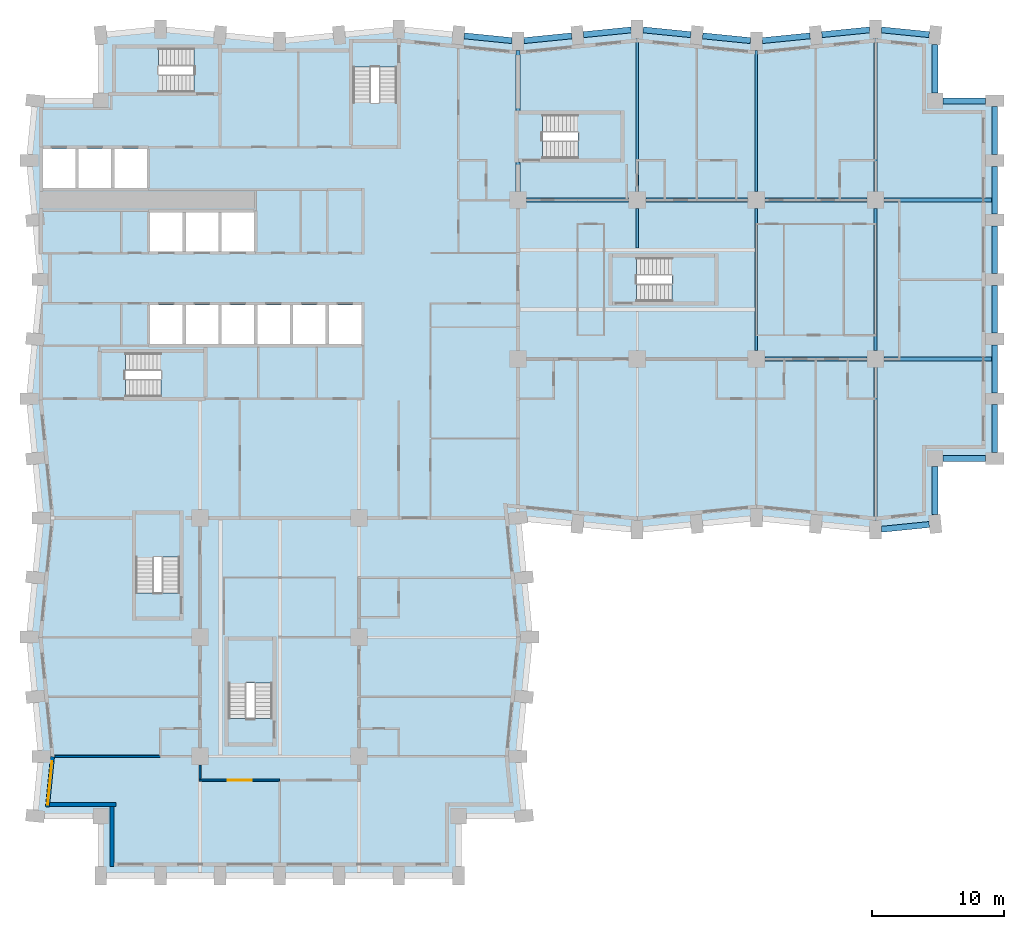
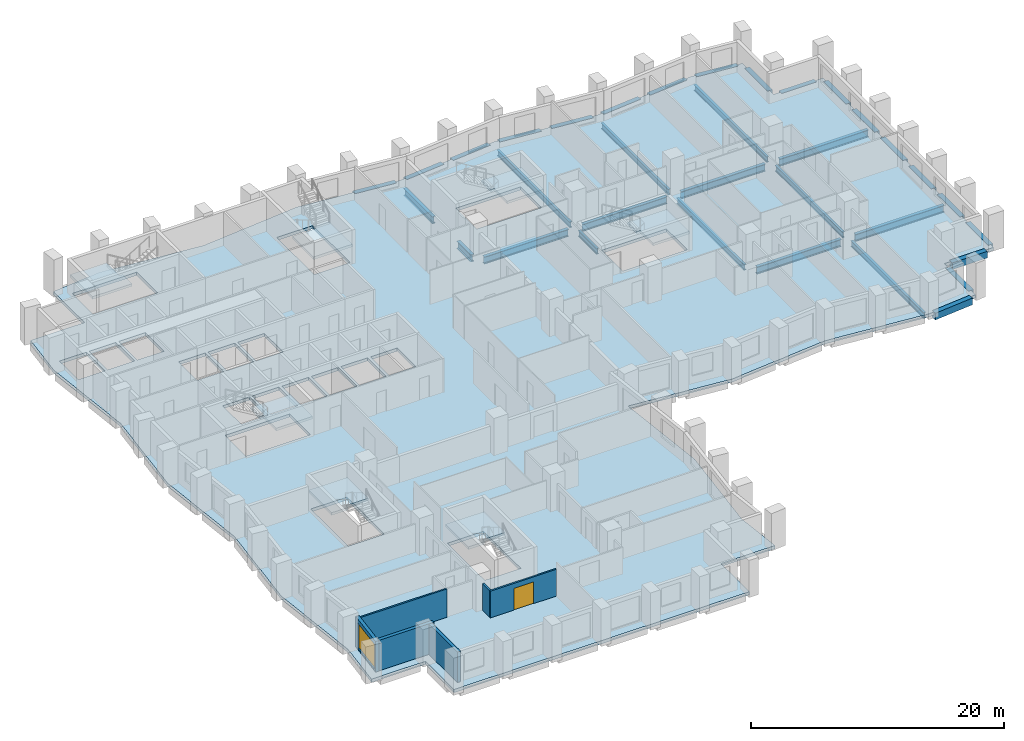
# One storey, part 2 of 12: 34 beams, 8 slabs, 6 walls, 1 door, 1 window, 2 openings, 7 elements without a shape of their own.
"""IFC4 building model written with IfcOpenShell, lengths in metres."""

from ifc_helpers import new_model, si_unit, direction, frame, frame_2d, origin, origin_2d, place, context, subcontext, project, spatial, polyline, rectangle, i_section, outline, extrude, material, layer, layer_set, material_profile, profile_set, type_object, element, fill, aggregate, save


model = new_model("IFC4")

# Units and contexts
model_context = context("Model", 3, precision=1e-05, world=origin(), true_north=direction((0.0, 1.0)))
body_context = subcontext(model_context, "Body", "Model", "MODEL_VIEW")
ifc_project = project(units=[si_unit("LENGTHUNIT", "METRE"), si_unit("AREAUNIT", "SQUARE_METRE"), si_unit("VOLUMEUNIT", "CUBIC_METRE"), si_unit("PLANEANGLEUNIT", "RADIAN"), si_unit("MASSUNIT", "GRAM", prefix="KILO")], contexts=[model_context])

# Site, building, storey
site_placement = place(None, origin())
site = spatial("IfcSite", under=ifc_project, at=site_placement, CompositionType="ELEMENT")
building_placement = place(site_placement, origin())
building = spatial("IfcBuilding", under=site, at=building_placement, Name="Brondeck Convention Tower", CompositionType="ELEMENT")
storey_placement = place(building_placement, frame((0.0, 0.0, 62.699951171875)))
storey = spatial("IfcBuildingStorey", under=building, at=storey_placement, Name="L13", CompositionType="ELEMENT", Elevation=62.699951171875)

# Beams
ifc_material_1 = material(Name="Steel S355", Category="steel")
ifc_material_profile_1 = material_profile(ifc_material_1, i_section(OverallWidth=0.2099609375, OverallDepth=0.550048828125, WebThickness=0.010986328125, FlangeThickness=0.01708984375, FilletRadius=0.02392578125, at=origin_2d()), Name="IPE 550")
ifc_profile_set_1 = profile_set([ifc_material_profile_1], Name="Steel S355")
beam_type_1 = type_object("IfcBeamType", Name="Floor beam IPE 550", PredefinedType="BEAM", material=ifc_profile_set_1)
beam_1_placement = place(storey_placement, frame((45.0, 51.64990234375, -0.574951171875), z_axis=(0.0, 1.0, 0.0), x_axis=(-1.0, 0.0, 0.0)))
element("IfcBeam", 1, at=beam_1_placement, inside=storey, type_object=beam_type_1, Name="STR-FB-L13-002", PredefinedType="BEAM", context=body_context, shape_type="SweptSolid", body=[
    extrude(i_section(OverallWidth=0.2099609375, OverallDepth=0.550048828125, WebThickness=0.010986328125, FlangeThickness=0.01708984375, FilletRadius=0.02392578125, at=origin_2d()), origin(), (0.0, 0.0, 1.0), 11.550048828125),
])
beam_2_placement = place(storey_placement, frame((54.0, 39.64990234375, -0.574951171875), z_axis=(0.0, 1.0, 0.0), x_axis=(-1.0, 0.0, 0.0)))
element("IfcBeam", 2, at=beam_2_placement, inside=storey, type_object=beam_type_1, Name="STR-FB-L13-004", PredefinedType="BEAM", context=body_context, shape_type="SweptSolid", body=[
    extrude(i_section(OverallWidth=0.2099609375, OverallDepth=0.550048828125, WebThickness=0.010986328125, FlangeThickness=0.01708984375, FilletRadius=0.02392578125, at=origin_2d()), origin(), (0.0, 0.0, 1.0), 10.7001953125),
])
beam_3_placement = place(storey_placement, frame((54.0, 51.64990234375, -0.574951171875), z_axis=(0.0, 1.0, 0.0), x_axis=(-1.0, 0.0, 0.0)))
element("IfcBeam", 3, at=beam_3_placement, inside=storey, type_object=beam_type_1, Name="STR-FB-L13-005", PredefinedType="BEAM", context=body_context, shape_type="SweptSolid", body=[
    extrude(i_section(OverallWidth=0.2099609375, OverallDepth=0.550048828125, WebThickness=0.010986328125, FlangeThickness=0.01708984375, FilletRadius=0.02392578125, at=origin_2d()), origin(), (0.0, 0.0, 1.0), 10.650146484375),
])
beam_4_placement = place(storey_placement, frame((63.0, 26.800048828125, -0.574951171875), z_axis=(0.0, 1.0, 0.0), x_axis=(-1.0, 0.0, 0.0)))
element("IfcBeam", 4, at=beam_4_placement, inside=storey, type_object=beam_type_1, Name="STR-FB-L13-006", PredefinedType="BEAM", context=body_context, shape_type="SweptSolid", body=[
    extrude(i_section(OverallWidth=0.2099609375, OverallDepth=0.550048828125, WebThickness=0.010986328125, FlangeThickness=0.01708984375, FilletRadius=0.02392578125, at=origin_2d()), origin(), (0.0, 0.0, 1.0), 11.550048828125),
])
beam_5_placement = place(storey_placement, frame((63.0, 39.64990234375, -0.574951171875), z_axis=(0.0, 1.0, 0.0), x_axis=(-1.0, 0.0, 0.0)))
element("IfcBeam", 5, at=beam_5_placement, inside=storey, type_object=beam_type_1, Name="STR-FB-L13-007", PredefinedType="BEAM", context=body_context, shape_type="SweptSolid", body=[
    extrude(i_section(OverallWidth=0.2099609375, OverallDepth=0.550048828125, WebThickness=0.010986328125, FlangeThickness=0.01708984375, FilletRadius=0.02392578125, at=origin_2d()), origin(), (0.0, 0.0, 1.0), 10.7001953125),
])
beam_6_placement = place(storey_placement, frame((63.0, 51.64990234375, -0.574951171875), z_axis=(0.0, 1.0, 0.0), x_axis=(-1.0, 0.0, 0.0)))
element("IfcBeam", 6, at=beam_6_placement, inside=storey, type_object=beam_type_1, Name="STR-FB-L13-008", PredefinedType="BEAM", context=body_context, shape_type="SweptSolid", body=[
    extrude(i_section(OverallWidth=0.2099609375, OverallDepth=0.550048828125, WebThickness=0.010986328125, FlangeThickness=0.01708984375, FilletRadius=0.02392578125, at=origin_2d()), origin(), (0.0, 0.0, 1.0), 11.550048828125),
])
beam_7_placement = place(storey_placement, frame((45.0, 47.39990234375, -0.574951171875), z_axis=(0.0, 1.0, 0.0), x_axis=(-1.0, 0.0, 0.0)))
element("IfcBeam", 7, at=beam_7_placement, inside=storey, type_object=beam_type_1, Name="STR-FB-L13-015", PredefinedType="BEAM", context=body_context, shape_type="SweptSolid", body=[
    extrude(i_section(OverallWidth=0.2099609375, OverallDepth=0.550048828125, WebThickness=0.010986328125, FlangeThickness=0.01708984375, FilletRadius=0.02392578125, at=origin_2d()), origin(), (0.0, 0.0, 1.0), 2.9501953125),
])
ifc_material_profile_2 = material_profile(ifc_material_1, i_section(OverallWidth=0.300048828125, OverallDepth=0.699951171875, WebThickness=0.01708984375, FlangeThickness=0.031982421875, FilletRadius=0.027099609375, at=origin_2d()), Name="HEB 700")
ifc_profile_set_2 = profile_set([ifc_material_profile_2], Name="Steel S355")
beam_type_2 = type_object("IfcBeamType", Name="Girder HEB 700", PredefinedType="BEAM", material=ifc_profile_set_2)
beam_8_placement = place(storey_placement, frame((54.64990234375, 39.0, -0.64990234375), z_axis=(1.0, 0.0, 0.0), x_axis=(0.0, 1.0, 0.0)))
element("IfcBeam", 8, at=beam_8_placement, inside=storey, type_object=beam_type_2, Name="STR-GR-L13-003", PredefinedType="BEAM", context=body_context, shape_type="SweptSolid", body=[
    extrude(i_section(OverallWidth=0.300048828125, OverallDepth=0.699951171875, WebThickness=0.01708984375, FlangeThickness=0.031982421875, FilletRadius=0.027099609375, at=origin_2d()), origin(), (0.0, 0.0, 1.0), 7.7001953125),
])
beam_9_placement = place(storey_placement, frame((63.64990234375, 39.0, -0.64990234375), z_axis=(1.0, 0.0, 0.0), x_axis=(0.0, 1.0, 0.0)))
element("IfcBeam", 9, at=beam_9_placement, inside=storey, type_object=beam_type_2, Name="STR-GR-L13-004", PredefinedType="BEAM", context=body_context, shape_type="SweptSolid", body=[
    extrude(i_section(OverallWidth=0.300048828125, OverallDepth=0.699951171875, WebThickness=0.01708984375, FlangeThickness=0.031982421875, FilletRadius=0.027099609375, at=origin_2d()), origin(), (0.0, 0.0, 1.0), 8.125),
])
for number, where, z_axis, x_axis, name in (
    (10, (36.64990234375, 51.0, -0.64990234375), (1.0, 0.0, 0.0), (0.0, 1.0, 0.0), "STR-GR-L13-005"),
    (11, (45.64990234375, 51.0, -0.64990234375), (1.0, 0.0, 0.0), (0.0, 1.0, 0.0), "STR-GR-L13-006"),
    (12, (54.64990234375, 51.0, -0.64990234375), (1.0, 0.0, 0.0), (0.0, 1.0, 0.0), "STR-GR-L13-007"),
):
    element("IfcBeam", number, at=place(storey_placement, frame(where, z_axis=z_axis, x_axis=x_axis)), inside=storey, type_object=beam_type_2, Name=name, PredefinedType="BEAM", context=body_context, shape_type="SweptSolid", body=[
        extrude(i_section(OverallWidth=0.300048828125, OverallDepth=0.699951171875, WebThickness=0.01708984375, FlangeThickness=0.031982421875, FilletRadius=0.027099609375, at=origin_2d()), origin(), (0.0, 0.0, 1.0), 7.7001953125),
    ])
beam_10_placement = place(storey_placement, frame((63.64990234375, 51.0, -0.64990234375), z_axis=(1.0, 0.0, 0.0), x_axis=(0.0, 1.0, 0.0)))
element("IfcBeam", 13, at=beam_10_placement, inside=storey, type_object=beam_type_2, Name="STR-GR-L13-008", PredefinedType="BEAM", context=body_context, shape_type="SweptSolid", body=[
    extrude(i_section(OverallWidth=0.300048828125, OverallDepth=0.699951171875, WebThickness=0.01708984375, FlangeThickness=0.031982421875, FilletRadius=0.027099609375, at=origin_2d()), origin(), (0.0, 0.0, 1.0), 8.125),
])
beam_11_placement = place(storey_placement, frame((36.0, 51.64990234375, -0.64990234375), z_axis=(0.0, 1.0, 0.0), x_axis=(-1.0, 0.0, 0.0)))
element("IfcBeam", 14, at=beam_11_placement, inside=storey, type_object=beam_type_2, Name="STR-GR-L13-011", PredefinedType="BEAM", context=body_context, shape_type="SweptSolid", body=[
    extrude(i_section(OverallWidth=0.300048828125, OverallDepth=0.699951171875, WebThickness=0.01708984375, FlangeThickness=0.031982421875, FilletRadius=0.027099609375, at=origin_2d()), origin(), (0.0, 0.0, 1.0), 2.22998046875),
])
beam_12_placement = place(storey_placement, frame((36.0, 57.719970703125, -0.64990234375), z_axis=(0.0, 1.0, 0.0), x_axis=(-1.0, 0.0, 0.0)))
element("IfcBeam", 15, at=beam_12_placement, inside=storey, type_object=beam_type_2, Name="STR-GR-L13-012", PredefinedType="BEAM", context=body_context, shape_type="SweptSolid", body=[
    extrude(i_section(OverallWidth=0.300048828125, OverallDepth=0.699951171875, WebThickness=0.01708984375, FlangeThickness=0.031982421875, FilletRadius=0.027099609375, at=origin_2d()), origin(), (0.0, 0.0, 1.0), 4.580078125),
])
ifc_material_2 = material(Name="Concrete C80/95", Category="concrete")
ifc_material_profile_3 = material_profile(ifc_material_2, rectangle(XDim=0.449951171875, YDim=0.64990234375, at=origin_2d()), Name="Precast spandrel 450x650 Concrete C80/95")
ifc_profile_set_3 = profile_set([ifc_material_profile_3], Name="Concrete C80/95")
beam_type_3 = type_object("IfcBeamType", Name="Precast spandrel 450x650 Concrete C80/95", PredefinedType="SPANDREL", material=ifc_profile_set_3)
beam_13_placement = place(storey_placement, frame((63.449951171875, 26.14501953125, -0.324951171875), z_axis=(0.995040528141, 0.099470334057, 0.0), x_axis=(-0.099470334057, 0.995040528141, 0.0)))
element("IfcBeam", 16, at=beam_13_placement, inside=storey, type_object=beam_type_3, Name="STR-SP-L13-020", PredefinedType="SPANDREL", context=body_context, shape_type="SweptSolid", body=[
    extrude(rectangle(XDim=0.449951171875, YDim=0.64990234375, at=origin_2d()), origin(), (0.0, 0.0, 1.0), 3.620361328125),
])
beam_14_placement = place(storey_placement, frame((67.5, 27.25341796875, -0.324951171875), z_axis=(0.0, 1.0, 0.0), x_axis=(-1.0, 0.0, 0.0)))
element("IfcBeam", 17, at=beam_14_placement, inside=storey, type_object=beam_type_3, Name="STR-SP-L13-021", PredefinedType="SPANDREL", context=body_context, shape_type="SweptSolid", body=[
    extrude(rectangle(XDim=0.449951171875, YDim=0.64990234375, at=origin_2d()), origin(), (0.0, 0.0, 1.0), 3.646484375),
])
beam_15_placement = place(storey_placement, frame((68.10009765625, 31.5, -0.324951171875), z_axis=(1.0, 0.0, 0.0), x_axis=(0.0, 1.0, 0.0)))
element("IfcBeam", 18, at=beam_15_placement, inside=storey, type_object=beam_type_3, Name="STR-SP-L13-022", PredefinedType="SPANDREL", context=body_context, shape_type="SweptSolid", body=[
    extrude(rectangle(XDim=0.449951171875, YDim=0.64990234375, at=origin_2d()), origin(), (0.0, 0.0, 1.0), 3.199951171875),
])
for number, where, z_axis, x_axis, name in (
    (19, (72.0, 31.949951171875, -0.324951171875), (0.0, 1.0, 0.0), (-1.0, 0.0, 0.0), "STR-SP-L13-023"),
    (20, (72.0, 36.449951171875, -0.324951171875), (0.0, 1.0, 0.0), (-1.0, 0.0, 0.0), "STR-SP-L13-024"),
    (21, (72.0, 40.949951171875, -0.324951171875), (0.0, 1.0, 0.0), (-1.0, 0.0, 0.0), "STR-SP-L13-025"),
    (22, (72.0, 45.449951171875, -0.324951171875), (0.0, 1.0, 0.0), (-1.0, 0.0, 0.0), "STR-SP-L13-026"),
    (23, (72.0, 49.949951171875, -0.324951171875), (0.0, 1.0, 0.0), (-1.0, 0.0, 0.0), "STR-SP-L13-027"),
    (24, (72.0, 54.449951171875, -0.324951171875), (0.0, 1.0, 0.0), (-1.0, 0.0, 0.0), "STR-SP-L13-028"),
):
    element("IfcBeam", number, at=place(storey_placement, frame(where, z_axis=z_axis, x_axis=x_axis)), inside=storey, type_object=beam_type_3, Name=name, PredefinedType="SPANDREL", context=body_context, shape_type="SweptSolid", body=[
        extrude(rectangle(XDim=0.449951171875, YDim=0.64990234375, at=origin_2d()), origin(), (0.0, 0.0, 1.0), 3.60009765625),
    ])
beam_16_placement = place(storey_placement, frame((71.300048828125, 58.5, -0.324951171875), z_axis=(-1.0, 0.0, 0.0), x_axis=(0.0, -1.0, 0.0)))
element("IfcBeam", 25, at=beam_16_placement, inside=storey, type_object=beam_type_3, Name="STR-SP-L13-029", PredefinedType="SPANDREL", context=body_context, shape_type="SweptSolid", body=[
    extrude(rectangle(XDim=0.449951171875, YDim=0.64990234375, at=origin_2d()), origin(), (0.0, 0.0, 1.0), 3.199951171875),
])
beam_17_placement = place(storey_placement, frame((67.5, 59.10009765625, -0.324951171875), z_axis=(0.0, 1.0, 0.0), x_axis=(-1.0, 0.0, 0.0)))
element("IfcBeam", 26, at=beam_17_placement, inside=storey, type_object=beam_type_3, Name="STR-SP-L13-030", PredefinedType="SPANDREL", context=body_context, shape_type="SweptSolid", body=[
    extrude(rectangle(XDim=0.449951171875, YDim=0.64990234375, at=origin_2d()), origin(), (0.0, 0.0, 1.0), 3.646484375),
])
for number, where, z_axis, x_axis, name in (
    (27, (67.05224609375, 63.494873046875, -0.324951171875), (-0.995040528141, 0.099470334057, 0.0), (-0.099470334057, -0.995040528141, 0.0), "STR-SP-L13-031"),
    (28, (62.550048828125, 63.85498046875, -0.324951171875), (-0.995040528141, -0.099470334057, 0.0), (0.099470334057, -0.995040528141, 0.0), "STR-SP-L13-032"),
    (29, (58.05224609375, 63.4052734375, -0.324951171875), (-0.995033851182, -0.099537103649, 0.0), (0.099537103649, -0.995033851182, 0.0), "STR-SP-L13-033"),
    (30, (53.550048828125, 63.044921875, -0.324951171875), (-0.995033851182, 0.099537103649, 0.0), (-0.099537103649, -0.995033851182, 0.0), "STR-SP-L13-034"),
    (31, (49.05224609375, 63.494873046875, -0.324951171875), (-0.995040528141, 0.099470334057, 0.0), (-0.099470334057, -0.995040528141, 0.0), "STR-SP-L13-035"),
    (32, (44.550048828125, 63.85498046875, -0.324951171875), (-0.995040528141, -0.099470334057, 0.0), (0.099470334057, -0.995040528141, 0.0), "STR-SP-L13-036"),
    (33, (40.05224609375, 63.4052734375, -0.324951171875), (-0.995033851182, -0.099537103649, 0.0), (0.099537103649, -0.995033851182, 0.0), "STR-SP-L13-037"),
    (34, (35.550048828125, 63.044921875, -0.324951171875), (-0.995033851182, 0.099537103649, 0.0), (-0.099537103649, -0.995033851182, 0.0), "STR-SP-L13-038"),
):
    element("IfcBeam", number, at=place(storey_placement, frame(where, z_axis=z_axis, x_axis=x_axis)), inside=storey, type_object=beam_type_3, Name=name, PredefinedType="SPANDREL", context=body_context, shape_type="SweptSolid", body=[
        extrude(rectangle(XDim=0.449951171875, YDim=0.64990234375, at=origin_2d()), origin(), (0.0, 0.0, 1.0), 3.620361328125),
    ])

# Slab
ifc_material_3 = material(Name="Concrete C35/45", Category="concrete")
ifc_layer_1 = layer(ifc_material_3, 0.300048828125)
ifc_layer_set_1 = layer_set([ifc_layer_1], Name="Composite floor slab 300")
slab_type_1 = type_object("IfcSlabType", Name="Composite floor slab 300", PredefinedType="FLOOR", material=ifc_layer_set_1)
slab_1_placement = place(storey_placement, frame((0.0, 0.0, -0.300048828125)))
element("IfcSlab", 35, at=slab_1_placement, inside=storey, type_object=slab_type_1, Name="STR-SL-L13", PredefinedType="FLOOR", context=body_context, shape_type="SweptSolid", body=[
    extrude(outline(polyline([(4.5, 4.5), (-0.449951171875, 4.5), (0.0, 9.0), (-0.89990234375, 18.0), (0.0, 27.0), (-0.89990234375, 36.0), (0.0, 45.0), (-0.89990234375, 54.0), (-0.449951171875, 58.5), (4.5, 58.5), (4.5, 63.449951171875), (9.0, 63.89990234375), (18.0, 63.0), (27.0, 63.89990234375), (36.0, 63.0), (45.0, 63.89990234375), (54.0, 63.0), (63.0, 63.89990234375), (67.5, 63.449951171875), (67.5, 58.5), (72.0, 58.5), (72.0, 31.5), (67.5, 31.5), (67.5, 26.550048828125), (63.0, 26.10009765625), (54.0, 27.0), (45.0, 26.10009765625), (36.0, 27.0), (36.89990234375, 18.0), (36.0, 9.0), (36.449951171875, 4.5), (31.5, 4.5), (31.5, 0.0), (4.5, 0.0), (4.5, 4.5)]), holes=[polyline([(10.447998046875, 27.248046875), (7.152099609375, 27.248046875), (7.152099609375, 21.35205078125), (10.447998046875, 21.35205078125), (10.447998046875, 27.248046875)]), polyline([(12.248046875, 36.152099609375), (12.248046875, 39.447998046875), (6.35205078125, 39.447998046875), (6.35205078125, 36.152099609375), (12.248046875, 36.152099609375)]), polyline([(10.675048828125, 40.125), (10.675048828125, 43.074951171875), (8.22509765625, 43.074951171875), (8.22509765625, 40.125), (10.675048828125, 40.125)]), polyline([(13.375, 40.125), (13.375, 43.074951171875), (10.925048828125, 43.074951171875), (10.925048828125, 40.125), (13.375, 40.125)]), polyline([(10.675048828125, 47.125), (10.675048828125, 50.074951171875), (8.22509765625, 50.074951171875), (8.22509765625, 47.125), (10.675048828125, 47.125)]), polyline([(13.375, 47.125), (13.375, 50.074951171875), (10.925048828125, 50.074951171875), (10.925048828125, 47.125), (13.375, 47.125)]), polyline([(2.574951171875, 51.925048828125), (2.574951171875, 54.875), (0.125, 54.875), (0.125, 51.925048828125), (2.574951171875, 51.925048828125)]), polyline([(2.824951171875, 51.925048828125), (5.27490234375, 51.925048828125), (5.27490234375, 54.875), (2.824951171875, 54.875), (2.824951171875, 51.925048828125)]), polyline([(5.52490234375, 51.925048828125), (7.97509765625, 51.925048828125), (7.97509765625, 54.875), (5.52490234375, 54.875), (5.52490234375, 51.925048828125)]), polyline([(5.652099609375, 62.447998046875), (5.652099609375, 59.152099609375), (11.548095703125, 59.152099609375), (11.548095703125, 62.447998046875), (5.652099609375, 62.447998046875)]), polyline([(17.447998046875, 17.748046875), (14.152099609375, 17.748046875), (14.152099609375, 11.85205078125), (17.447998046875, 11.85205078125), (17.447998046875, 17.748046875)]), polyline([(16.074951171875, 40.125), (16.074951171875, 43.074951171875), (13.625, 43.074951171875), (13.625, 40.125), (16.074951171875, 40.125)]), polyline([(16.324951171875, 40.125), (18.77490234375, 40.125), (18.77490234375, 43.074951171875), (16.324951171875, 43.074951171875), (16.324951171875, 40.125)]), polyline([(19.02490234375, 40.125), (21.47509765625, 40.125), (21.47509765625, 43.074951171875), (19.02490234375, 43.074951171875), (19.02490234375, 40.125)]), polyline([(24.175048828125, 40.125), (24.175048828125, 43.074951171875), (21.72509765625, 43.074951171875), (21.72509765625, 40.125), (24.175048828125, 40.125)]), polyline([(50.847900390625, 43.35205078125), (50.847900390625, 46.64794921875), (44.951904296875, 46.64794921875), (44.951904296875, 43.35205078125), (50.847900390625, 43.35205078125)]), polyline([(16.074951171875, 47.125), (16.074951171875, 50.074951171875), (13.625, 50.074951171875), (13.625, 47.125), (16.074951171875, 47.125)]), polyline([(37.85205078125, 54.152099609375), (43.748046875, 54.152099609375), (43.748046875, 57.447998046875), (37.85205078125, 57.447998046875), (37.85205078125, 54.152099609375)]), polyline([(23.552001953125, 61.048095703125), (23.552001953125, 55.152099609375), (26.847900390625, 55.152099609375), (26.847900390625, 61.048095703125), (23.552001953125, 61.048095703125)])]), origin(), (0.0, 0.0, 1.0), 0.300048828125),
])

# Stair, slab
ifc_material_4 = material(Name="Precast concrete C50/60", Category="concrete")
stair_type = type_object("IfcStairType", Name="Core stair 20 risers 180.00 mm riser 300 mm going 1350 wide", PredefinedType="HALF_TURN_STAIR", material=ifc_material_4)
stair_1_placement = place(storey_placement, origin())
stair_1 = element("IfcStair", 36, at=stair_1_placement, inside=storey, type_object=stair_type, Name="ST-1 L13 stair", PredefinedType="HALF_TURN_STAIR")
ifc_layer_2 = layer(ifc_material_4, 0.25)
ifc_layer_set_2 = layer_set([ifc_layer_2], Name="Core stair landing 250 Precast concrete C50/60")
slab_type_2 = type_object("IfcSlabType", Name="Core stair landing 250 Precast concrete C50/60", PredefinedType="LANDING", material=ifc_layer_set_2)
slab_2_placement = place(storey_placement, frame((0.0, 0.0, 1.550048828125)))
slab_2 = element("IfcSlab", 37, at=slab_2_placement, type_object=slab_type_2, Name="ST-1 landing 1", PredefinedType="LANDING", context=body_context, shape_type="SweptSolid", body=[
    extrude(outline(polyline([(9.048095703125, 37.5), (9.050048828125, 37.5), (9.050048828125, 38.10009765625), (8.75, 38.10009765625), (8.75, 39.570068359375), (12.3701171875, 39.570068359375), (12.3701171875, 36.030029296875), (9.048095703125, 36.030029296875), (9.048095703125, 37.5)])), origin(), (0.0, 0.0, 1.0), 0.25),
])
aggregate(stair_1, [slab_2])

stair_2_placement = place(storey_placement, origin())
stair_2 = element("IfcStair", 38, at=stair_2_placement, inside=storey, type_object=stair_type, Name="ST-2 L13 stair", PredefinedType="HALF_TURN_STAIR")
slab_3_placement = place(storey_placement, frame((0.0, 0.0, 1.550048828125)))
slab_3 = element("IfcSlab", 39, at=slab_3_placement, type_object=slab_type_2, Name="ST-2 landing 1", PredefinedType="LANDING", context=body_context, shape_type="SweptSolid", body=[
    extrude(outline(polyline([(23.429931640625, 58.35205078125), (24.89990234375, 58.35205078125), (24.89990234375, 58.35009765625), (25.5, 58.35009765625), (25.5, 58.64990234375), (26.969970703125, 58.64990234375), (26.969970703125, 55.030029296875), (23.429931640625, 55.030029296875), (23.429931640625, 58.35205078125)])), origin(), (0.0, 0.0, 1.0), 0.25),
])
aggregate(stair_2, [slab_3])

stair_3_placement = place(storey_placement, origin())
stair_3 = element("IfcStair", 40, at=stair_3_placement, inside=storey, type_object=stair_type, Name="ST-3 L13 stair", PredefinedType="HALF_TURN_STAIR")
slab_4_placement = place(storey_placement, frame((0.0, 0.0, 1.550048828125)))
slab_4 = element("IfcSlab", 41, at=slab_4_placement, type_object=slab_type_2, Name="ST-3 landing 1", PredefinedType="LANDING", context=body_context, shape_type="SweptSolid", body=[
    extrude(outline(polyline([(9.14990234375, 60.5), (9.14990234375, 59.030029296875), (5.530029296875, 59.030029296875), (5.530029296875, 62.570068359375), (8.85205078125, 62.570068359375), (8.85205078125, 61.10009765625), (8.85009765625, 61.10009765625), (8.85009765625, 60.5), (9.14990234375, 60.5)])), origin(), (0.0, 0.0, 1.0), 0.25),
])
aggregate(stair_3, [slab_4])

stair_4_placement = place(storey_placement, origin())
stair_4 = element("IfcStair", 42, at=stair_4_placement, inside=storey, type_object=stair_type, Name="ST-AE L13 stair", PredefinedType="HALF_TURN_STAIR")
slab_5_placement = place(storey_placement, frame((0.0, 0.0, 1.550048828125)))
slab_5 = element("IfcSlab", 43, at=slab_5_placement, type_object=slab_type_2, Name="ST-AE landing 1", PredefinedType="LANDING", context=body_context, shape_type="SweptSolid", body=[
    extrude(outline(polyline([(40.548095703125, 55.5), (40.550048828125, 55.5), (40.550048828125, 56.10009765625), (40.25, 56.10009765625), (40.25, 57.570068359375), (43.8701171875, 57.570068359375), (43.8701171875, 54.030029296875), (40.548095703125, 54.030029296875), (40.548095703125, 55.5)])), origin(), (0.0, 0.0, 1.0), 0.25),
])
aggregate(stair_4, [slab_5])

stair_5_placement = place(storey_placement, origin())
stair_5 = element("IfcStair", 44, at=stair_5_placement, inside=storey, type_object=stair_type, Name="ST-BE L13 stair", PredefinedType="HALF_TURN_STAIR")
slab_6_placement = place(storey_placement, frame((0.0, 0.0, 1.550048828125)))
slab_6 = element("IfcSlab", 45, at=slab_6_placement, type_object=slab_type_2, Name="ST-BE landing 1", PredefinedType="LANDING", context=body_context, shape_type="SweptSolid", body=[
    extrude(outline(polyline([(7.030029296875, 23.75), (7.030029296875, 27.3701171875), (10.570068359375, 27.3701171875), (10.570068359375, 24.048095703125), (9.10009765625, 24.048095703125), (9.10009765625, 24.050048828125), (8.5, 24.050048828125), (8.5, 23.75), (7.030029296875, 23.75)])), origin(), (0.0, 0.0, 1.0), 0.25),
])
aggregate(stair_5, [slab_6])

stair_6_placement = place(storey_placement, origin())
stair_6 = element("IfcStair", 46, at=stair_6_placement, inside=storey, type_object=stair_type, Name="ST-AF L13 stair", PredefinedType="HALF_TURN_STAIR")
slab_7_placement = place(storey_placement, frame((0.0, 0.0, 1.550048828125)))
slab_7 = element("IfcSlab", 47, at=slab_7_placement, type_object=slab_type_2, Name="ST-AF landing 1", PredefinedType="LANDING", context=body_context, shape_type="SweptSolid", body=[
    extrude(outline(polyline([(47.64794921875, 44.699951171875), (47.64990234375, 44.699951171875), (47.64990234375, 45.300048828125), (47.35009765625, 45.300048828125), (47.35009765625, 46.77001953125), (50.969970703125, 46.77001953125), (50.969970703125, 43.22998046875), (47.64794921875, 43.22998046875), (47.64794921875, 44.699951171875)])), origin(), (0.0, 0.0, 1.0), 0.25),
])
aggregate(stair_6, [slab_7])

stair_7_placement = place(storey_placement, origin())
stair_7 = element("IfcStair", 48, at=stair_7_placement, inside=storey, type_object=stair_type, Name="ST-BF L13 stair", PredefinedType="HALF_TURN_STAIR")
slab_8_placement = place(storey_placement, frame((0.0, 0.0, 1.550048828125)))
slab_8 = element("IfcSlab", 49, at=slab_8_placement, type_object=slab_type_2, Name="ST-BF landing 1", PredefinedType="LANDING", context=body_context, shape_type="SweptSolid", body=[
    extrude(outline(polyline([(14.030029296875, 14.25), (14.030029296875, 17.8701171875), (17.570068359375, 17.8701171875), (17.570068359375, 14.548095703125), (16.10009765625, 14.548095703125), (16.10009765625, 14.550048828125), (15.5, 14.550048828125), (15.5, 14.25), (14.030029296875, 14.25)])), origin(), (0.0, 0.0, 1.0), 0.25),
])
aggregate(stair_7, [slab_8])

# Wall, opening, window
ifc_material_5 = material(Name="Precast concrete C50/60 bronze finish", Category="concrete")
ifc_layer_3 = layer(ifc_material_5, 0.070068359375, Name="Bronze precast facing")
ifc_material_6 = material(Name="Mineral wool")
ifc_layer_4 = layer(ifc_material_6, 0.159912109375, Name="Insulation")
ifc_layer_5 = layer(ifc_material_3, 0.070068359375, Name="Backing")
ifc_layer_set_3 = layer_set([ifc_layer_3, ifc_layer_4, ifc_layer_5], Name="External infill wall, precast concrete C50/60 bronze facing")
wall_type_1 = type_object("IfcWallType", Name="External infill wall, precast concrete C50/60 bronze facing", PredefinedType="SOLIDWALL", material=ifc_layer_set_3)
wall_1_placement = place(storey_placement, frame((0.47265625, 5.18505859375, 0.0), z_axis=(0.0, 0.0, 1.0), x_axis=(0.099541845169, 0.995033376857, 0.0)))
wall_1 = element("IfcWall", 50, at=wall_1_placement, inside=storey, type_object=wall_type_1, Name="ENV-EW-L13-P0-B-W-12", PredefinedType="SOLIDWALL", context=body_context, shape_type="SweptSolid", body=[
    extrude(rectangle(XDim=3.803955078125, YDim=0.300048828125, at=frame_2d((1.90185546875, 0.0))), origin(), (0.0, 0.0, 1.0), 2.949951171875),
])
opening_1_placement = place(wall_1_placement, frame((0.14990234375, 0.0, 0.14990234375)))
opening_1 = element("IfcOpeningElement", 51, at=opening_1_placement, cuts=wall_1, Name="Opening W9", PredefinedType="OPENING", context=body_context, shape_type="SweptSolid", body=[
    extrude(rectangle(XDim=3.300048828125, YDim=2.39990234375, at=frame_2d((1.64990234375, 1.199951171875))), frame((0.0, 0.159912109375, 0.0), z_axis=(0.0, -1.0, 0.0), x_axis=(1.0, 0.0, 0.0)), (0.0, 0.0, 1.0), 0.320068359375),
])
ifc_material_7 = material(Name="Bronze tinted double glazing", Category="glass")
window_type = type_object("IfcWindowType", Name="Glazed flute window, bronze tinted", PartitioningType="SINGLE_PANEL", PredefinedType="WINDOW", material=ifc_material_7)
window_placement = place(opening_1_placement, origin())
window = element("IfcWindow", 52, at=window_placement, inside=storey, type_object=window_type, Name="ENV-WN-L13-P0-B-W-12", OverallHeight=2.39990234375, OverallWidth=3.300048828125, PartitioningType="SINGLE_PANEL", PredefinedType="WINDOW", context=body_context, shape_type="SweptSolid", body=[
    extrude(rectangle(XDim=3.300048828125, YDim=2.39990234375, at=frame_2d((1.64990234375, 1.199951171875))), frame((0.0, 0.030029296875, 0.0), z_axis=(0.0, -1.0, 0.0), x_axis=(1.0, 0.0, 0.0)), (0.0, 0.0, 1.0), 0.06005859375),
])
fill(opening_1, window)

# Walls
wall_2_placement = place(storey_placement, frame((5.64990234375, 5.35009765625, 0.0), z_axis=(0.0, 0.0, 1.0), x_axis=(-1.0, 0.0, 0.0)))
element("IfcWall", 53, at=wall_2_placement, inside=storey, type_object=wall_type_1, Name="ENV-EW-L13-P0-NC-SWB0-01", PredefinedType="SOLIDWALL", context=body_context, shape_type="SweptSolid", body=[
    extrude(rectangle(XDim=5.004638671875, YDim=0.300048828125, at=frame_2d((2.50244140625, 0.0))), origin(), (0.0, 0.0, 1.0), 2.949951171875),
])
wall_3_placement = place(storey_placement, frame((5.35009765625, 0.699951171875, 0.0), z_axis=(0.0, 0.0, 1.0), x_axis=(0.0, 1.0, 0.0)))
element("IfcWall", 54, at=wall_3_placement, inside=storey, type_object=wall_type_1, Name="ENV-EW-L13-P0-NC-SWB0-02", PredefinedType="SOLIDWALL", context=body_context, shape_type="SweptSolid", body=[
    extrude(rectangle(XDim=4.5, YDim=0.300048828125, at=frame_2d((2.25, 0.0))), origin(), (0.0, 0.0, 1.0), 2.949951171875),
])

# Wall, opening, door
ifc_material_8 = material(Name="Double gypsum board acoustic wall")
ifc_layer_6 = layer(ifc_material_8, 0.14990234375)
ifc_layer_set_4 = layer_set([ifc_layer_6], Name="Guest room party wall 150")
wall_type_2 = type_object("IfcWallType", Name="Guest room party wall 150", PredefinedType="PARTITIONING", material=ifc_layer_set_4)
wall_4_placement = place(storey_placement, frame((18.0, 7.199951171875, 0.0), z_axis=(0.0, 0.0, 1.0), x_axis=(-1.0, 0.0, 0.0)))
wall_4 = element("IfcWall", 55, at=wall_4_placement, inside=storey, type_object=wall_type_2, Name="FLR-L13-W002", PredefinedType="PARTITIONING", context=body_context, shape_type="SweptSolid", body=[
    extrude(rectangle(XDim=6.074951171875, YDim=0.14990234375, at=frame_2d((3.03759765625, 0.0))), origin(), (0.0, 0.0, 1.0), 2.580078125),
])
opening_2_placement = place(wall_4_placement, frame((2.10009765625, 0.0, 0.0)))
opening_2 = element("IfcOpeningElement", 56, at=opening_2_placement, cuts=wall_4, Name="Opening H3-031", PredefinedType="OPENING", context=body_context, shape_type="SweptSolid", body=[
    extrude(rectangle(XDim=1.800048828125, YDim=2.10009765625, at=frame_2d((0.89990234375, 1.050048828125))), frame((0.0, 0.0849609375, 0.0), z_axis=(0.0, -1.0, 0.0), x_axis=(1.0, 0.0, 0.0)), (0.0, 0.0, 1.0), 0.169921875),
])
ifc_material_9 = material(Name="Glazed timber double door", Category="wood")
door_type = type_object("IfcDoorType", Name="Double door 1800", OperationType="DOUBLE_DOOR_SINGLE_SWING", PredefinedType="DOOR", material=ifc_material_9)
door_placement = place(opening_2_placement, origin())
door = element("IfcDoor", 57, at=door_placement, inside=storey, type_object=door_type, Name="Door H3-031", OperationType="DOUBLE_DOOR_SINGLE_SWING", OverallHeight=2.10009765625, OverallWidth=1.800048828125, PredefinedType="DOOR", context=body_context, shape_type="SweptSolid", body=[
    extrude(rectangle(XDim=1.800048828125, YDim=2.10009765625, at=frame_2d((0.89990234375, 1.050048828125))), frame((0.0, 0.02490234375, 0.0), z_axis=(0.0, -1.0, 0.0), x_axis=(1.0, 0.0, 0.0)), (0.0, 0.0, 1.0), 0.050048828125),
])
fill(opening_2, door)

# Walls
wall_5_placement = place(storey_placement, frame((12.0, 7.27490234375, 0.0), z_axis=(0.0, 0.0, 1.0), x_axis=(0.0, 1.0, 0.0)))
element("IfcWall", 58, at=wall_5_placement, inside=storey, type_object=wall_type_2, Name="FLR-L13-W004", PredefinedType="PARTITIONING", context=body_context, shape_type="SweptSolid", body=[
    extrude(rectangle(XDim=1.070068359375, YDim=0.14990234375, at=frame_2d((0.53515625, 0.0))), origin(), (0.0, 0.0, 1.0), 2.580078125),
])
wall_6_placement = place(storey_placement, frame((9.0, 9.0, 0.0), z_axis=(0.0, 0.0, 1.0), x_axis=(-1.0, 0.0, 0.0)))
element("IfcWall", 59, at=wall_6_placement, inside=storey, type_object=wall_type_2, Name="FLR-L13-W006", PredefinedType="PARTITIONING", context=body_context, shape_type="SweptSolid", body=[
    extrude(rectangle(XDim=7.97509765625, YDim=0.14990234375, at=frame_2d((3.987548828125, 0.0))), origin(), (0.0, 0.0, 1.0), 2.72998046875),
])

save(model, "model.ifc")
